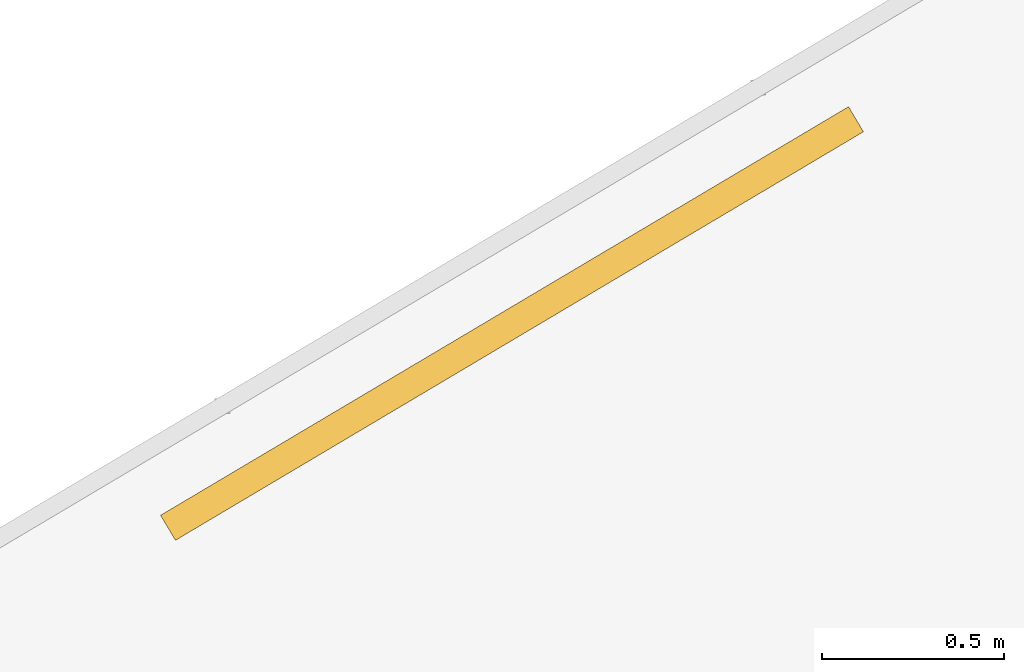
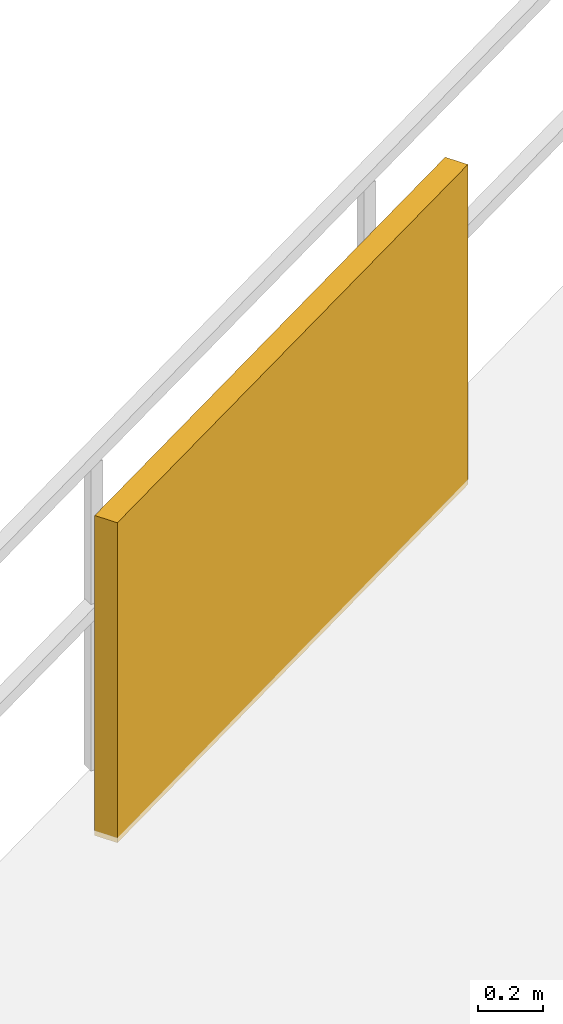
# One storey, part 28 of 29: 1 shading device.
"""IFC4 building model written with IfcOpenShell, lengths in metres."""

import ifcopenshell
import ifcopenshell.guid

model = None  # the IFC model being written
_history = None  # IfcOwnerHistory: only IFC2X3 demands one
_inside = {}  # id of a spatial element -> (the spatial element, [elements in it])
_under = {}  # id of a project, library or spatial element -> (it, [spatial elements below it])
_declared = {}  # id of a project -> (the project, [libraries it declares])
_typed = {}  # id of a type object -> (the type object, [elements of that type])
_made_of = {}  # id of a material, layer set ... -> (it, [elements and type objects made of it])


def new_model(schema):
    """Start an empty IFC model of exactly this schema.

    Asked for "IFC4X3", IfcOpenShell would pick the latest addendum, in which some entities
    have other attributes; the version numbers below select the first issue.
    IFC2X3 requires an IfcOwnerHistory on every rooted entity: one is made here for all.
    """
    global model, _history
    if schema == "IFC4X3":
        model = ifcopenshell.file(schema_version=(4, 3, 0, 0))
    else:
        model = ifcopenshell.file(schema=schema)
    _inside.clear()
    _under.clear()
    _declared.clear()
    _typed.clear()
    _made_of.clear()
    _history = None
    if model.schema == "IFC2X3":
        org = make("IfcOrganization", Name="unknown")
        user = make(
            "IfcPersonAndOrganization",
            ThePerson=make("IfcPerson", FamilyName="unknown"),
            TheOrganization=org,
        )
        app = make(
            "IfcApplication",
            ApplicationDeveloper=org,
            Version="unknown",
            ApplicationFullName="unknown",
            ApplicationIdentifier="unknown",
        )
        _history = make(
            "IfcOwnerHistory",
            OwningUser=user,
            OwningApplication=app,
            ChangeAction="ADDED",
            CreationDate=0,
        )
    return model


def make(cls, **values):
    """One entity of the class cls with the attributes given. An attribute that is None is left unset."""
    return model.create_entity(
        cls, **{name: value for name, value in values.items() if value is not None}
    )


def rooted(cls, **values):
    """An entity with a GlobalId (a new one), such as an element, a storey or a relation."""
    return make(cls, GlobalId=ifcopenshell.guid.new(), OwnerHistory=_history, **values)


def si_unit(unit_type, name, prefix=None):
    """IfcSIUnit, for example si_unit("LENGTHUNIT", "METRE", prefix="MILLI")."""
    return make("IfcSIUnit", UnitType=unit_type, Prefix=prefix, Name=name)


def assignment(units):
    """IfcUnitAssignment: the units of a project."""
    return None if units is None else make("IfcUnitAssignment", Units=units)


def point(xyz):
    """IfcCartesianPoint."""
    return None if xyz is None else make("IfcCartesianPoint", Coordinates=xyz)


def direction(xyz):
    """IfcDirection."""
    return None if xyz is None else make("IfcDirection", DirectionRatios=xyz)


def frame(location, z_axis=None, x_axis=None):
    """IfcAxis2Placement3D, a coordinate frame: its origin and axes. An axis left out is left unset."""
    return make(
        "IfcAxis2Placement3D",
        Location=point(location),
        Axis=direction(z_axis),
        RefDirection=direction(x_axis),
    )


def frame_2d(location, x_axis=None):
    """IfcAxis2Placement2D, a coordinate frame in the plane: its origin and x axis."""
    return make(
        "IfcAxis2Placement2D", Location=point(location), RefDirection=direction(x_axis)
    )


def origin():
    """The frame at (0, 0, 0) with its axes left unset."""
    return frame((0.0, 0.0, 0.0))


def origin_2d():
    """The frame at (0, 0) in the plane with its x axis left unset."""
    return frame_2d((0.0, 0.0))


def place(relative_to, where):
    """IfcLocalPlacement: puts the frame where relative to a parent placement (None: the world)."""
    return make(
        "IfcLocalPlacement", PlacementRelTo=relative_to, RelativePlacement=where
    )


def context(
    kind, dimensions, precision=None, world=None, true_north=None, identifier=None
):
    """IfcGeometricRepresentationContext, for example the 3D "Model" context."""
    return make(
        "IfcGeometricRepresentationContext",
        ContextIdentifier=identifier,
        ContextType=kind,
        CoordinateSpaceDimension=dimensions,
        Precision=precision,
        WorldCoordinateSystem=world,
        TrueNorth=true_north,
    )


def subcontext(parent, identifier, kind, view, scale=None):
    """IfcGeometricRepresentationSubContext, for example "Body" below "Model"."""
    return make(
        "IfcGeometricRepresentationSubContext",
        ContextIdentifier=identifier,
        ContextType=kind,
        ParentContext=parent,
        TargetScale=scale,
        TargetView=view,
    )


def project(units=None, contexts=None):
    """IfcProject with its units and contexts."""
    return rooted(
        "IfcProject",
        Name="project",
        RepresentationContexts=contexts,
        UnitsInContext=assignment(units),
    )


def spatial(cls, under=None, at=None, **own):
    """A site, building, storey or space (cls), placed at a placement, below another one or the project."""
    s = rooted(cls, ObjectPlacement=at, **own)
    if under is not None:
        _under.setdefault(under.id(), (under, []))[1].append(s)
    return s


def profile(cls, at=None, kind="AREA", **sizes):
    """A parametric profile (cls). Its sizes go by their IFC names, for example OverallWidth=200.0."""
    return make(cls, ProfileType=kind, Position=at, **sizes)


def rectangle(**sizes):
    """IfcRectangleProfileDef."""
    return profile("IfcRectangleProfileDef", **sizes)


def extrude(swept, where, along, depth):
    """IfcExtrudedAreaSolid: the profile swept, set in the frame where, extruded along a direction by depth."""
    return make(
        "IfcExtrudedAreaSolid",
        SweptArea=swept,
        Position=where,
        ExtrudedDirection=direction(along),
        Depth=depth,
    )


def shape(context_of_items, identifier, shape_type, items):
    """IfcShapeRepresentation: the items that make up one representation, for example the "Body"."""
    return make(
        "IfcShapeRepresentation",
        ContextOfItems=context_of_items,
        RepresentationIdentifier=identifier,
        RepresentationType=shape_type,
        Items=items,
    )


def material(Name=None, Category=None):
    """IfcMaterial."""
    return make("IfcMaterial", Name=Name, Category=Category)


def made_of(thing, what):
    """Note that an element or type object is made of a material, layer set ...; save() writes the relation."""
    if what is not None:
        _made_of.setdefault(what.id(), (what, []))[1].append(thing)
    return thing


def type_object(cls, material=None, **own):
    """A type object (cls), such as IfcWallType, which elements share."""
    return made_of(rooted(cls, **own), material)


def element(
    cls,
    number,
    at=None,
    inside=None,
    cuts=None,
    type_object=None,
    material=None,
    context=None,
    identifier="Body",
    shape_type=None,
    held_by="IfcProductDefinitionShape",
    body=None,
    shapes=None,
    **own,
):
    """One element of the class cls, such as IfcWall. Its Tag is "e" and its number.

    at: its placement. inside: the storey or other place that contains it. cuts: it is an
    opening in that element (IfcRelVoidsElement). A single representation is given by context,
    identifier, shape_type and body (its items); several are given by shapes. held_by: the class
    of the entity that holds the representations. save() writes the other relations.
    """
    e = rooted(cls, Tag="e%d" % number, ObjectPlacement=at, **own)
    if body is not None:
        shapes = [shape(context, identifier, shape_type, body)]
    if shapes is not None:
        e.Representation = make(held_by, Representations=shapes)
    if inside is not None:
        _inside.setdefault(inside.id(), (inside, []))[1].append(e)
    if cuts is not None:
        rooted(
            "IfcRelVoidsElement", RelatingBuildingElement=cuts, RelatedOpeningElement=e
        )
    if type_object is not None:
        _typed.setdefault(type_object.id(), (type_object, []))[1].append(e)
    return made_of(e, material)


def aggregate(whole, parts):
    """IfcRelAggregates: a whole, such as a stair, and the parts it consists of."""
    return rooted("IfcRelAggregates", RelatingObject=whole, RelatedObjects=parts)


def save(model, path):
    """Write the relations noted so far, then the file.

    IfcRelAggregates (storeys below a building ...), IfcRelContainedInSpatialStructure (elements
    in a storey), IfcRelDefinesByType, IfcRelAssociatesMaterial and IfcRelDeclares: one each for
    every whole, place, type object, material and project.
    """
    for whole, parts in _under.values():
        aggregate(whole, parts)
    for where, things in _inside.values():
        rooted(
            "IfcRelContainedInSpatialStructure",
            RelatedElements=things,
            RelatingStructure=where,
        )
    for kind, things in _typed.values():
        rooted("IfcRelDefinesByType", RelatedObjects=things, RelatingType=kind)
    for what, things in _made_of.values():
        rooted("IfcRelAssociatesMaterial", RelatedObjects=things, RelatingMaterial=what)
    for by, libraries in _declared.values():
        rooted("IfcRelDeclares", RelatingContext=by, RelatedDefinitions=libraries)
    model.write(path)


model = new_model("IFC4")

# Units and contexts
model_context = context("Model", 3, precision=1e-05, world=origin(), true_north=direction((0.0, 1.0)))
body_context = subcontext(model_context, "Body", "Model", "MODEL_VIEW")
ifc_project = project(units=[si_unit("LENGTHUNIT", "METRE"), si_unit("AREAUNIT", "SQUARE_METRE"), si_unit("VOLUMEUNIT", "CUBIC_METRE"), si_unit("PLANEANGLEUNIT", "RADIAN"), si_unit("MASSUNIT", "GRAM", prefix="KILO")], contexts=[model_context])

# Site, building, storey
site_placement = place(None, origin())
site = spatial("IfcSite", under=ifc_project, at=site_placement, CompositionType="ELEMENT")
building_placement = place(site_placement, origin())
building = spatial("IfcBuilding", under=site, at=building_placement, Name="Vorneva Point Tower", CompositionType="ELEMENT")
storey_placement = place(building_placement, frame((0.0, 0.0, 113.800048828125)))
storey = spatial("IfcBuildingStorey", under=building, at=storey_placement, Name="L30", CompositionType="ELEMENT", Elevation=113.800048828125)

# Shading device
ifc_material = material(Name="Pale anodised aluminium", Category="aluminium")
shading_device_type = type_object("IfcShadingDeviceType", Name="SHD-JAL-1200", PredefinedType="JALOUSIE", material=ifc_material)
shading_device_placement = place(storey_placement, frame((20.12646484375, 43.192626953125, -0.02001953125), z_axis=(0.0, 0.0, 1.0), x_axis=(-0.859816626882, -0.51060294568, 0.0)))
element("IfcShadingDevice", 1, at=shading_device_placement, inside=storey, type_object=shading_device_type, Name="L30 Balcony Vertical-Greenery Planter Screen NW.2", PredefinedType="JALOUSIE", context=body_context, shape_type="SweptSolid", body=[
    extrude(rectangle(XDim=2.199951171875, YDim=0.080078125, at=origin_2d()), origin(), (0.0, 0.0, 1.0), 1.199951171875),
])

save(model, "model.ifc")
